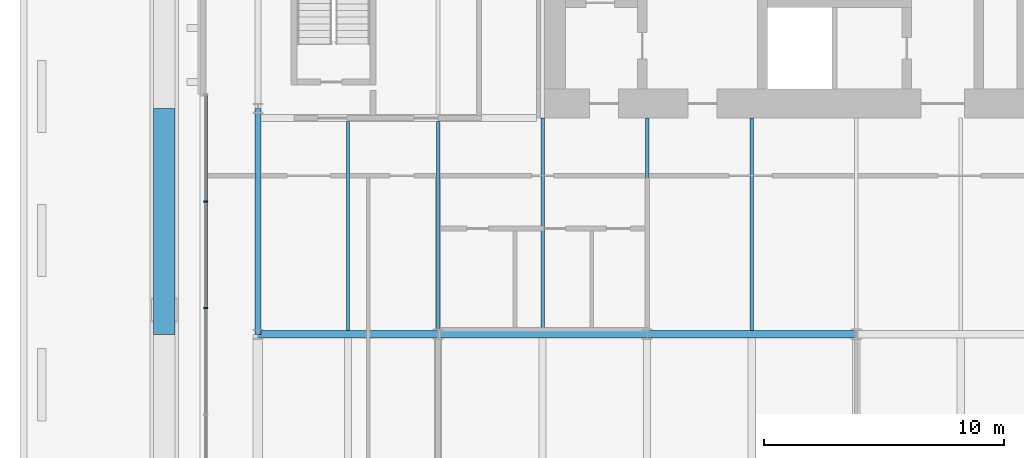
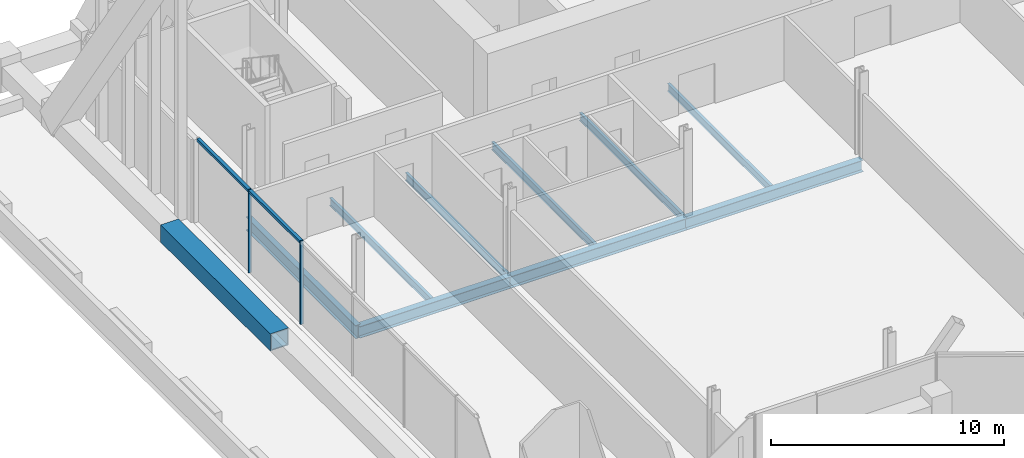
# One storey, part 7 of 29: 9 beams, 5 members, 1 element without a shape of its own.
"""IFC4 building model written with IfcOpenShell, lengths in metres."""

from ifc_helpers import new_model, si_unit, direction, frame, origin, origin_2d, place, context, subcontext, project, spatial, rectangle, hollow_rectangle, i_section, extrude, material, material_profile, profile_set, type_object, element, aggregate, save


model = new_model("IFC4")

# Units and contexts
model_context = context("Model", 3, precision=1e-05, world=origin(), true_north=direction((0.0, 1.0)))
body_context = subcontext(model_context, "Body", "Model", "MODEL_VIEW")
ifc_project = project(units=[si_unit("LENGTHUNIT", "METRE"), si_unit("AREAUNIT", "SQUARE_METRE"), si_unit("VOLUMEUNIT", "CUBIC_METRE"), si_unit("PLANEANGLEUNIT", "RADIAN"), si_unit("MASSUNIT", "GRAM", prefix="KILO")], contexts=[model_context])

# Site, building, storey
site_placement = place(None, origin())
site = spatial("IfcSite", under=ifc_project, at=site_placement, CompositionType="ELEMENT")
building_placement = place(site_placement, origin())
building = spatial("IfcBuilding", under=site, at=building_placement, Name="Bicima Exchange Tower", CompositionType="ELEMENT")
storey_placement = place(building_placement, frame((0.0, 0.0, 35.0)))
storey = spatial("IfcBuildingStorey", under=building, at=storey_placement, Name="L06", CompositionType="ELEMENT", Elevation=35.0)

# Curtain wall, members
ifc_material_1 = material(Name="Anodised bronze aluminium", Category="aluminium")
curtain_wall_type = type_object("IfcCurtainWallType", Name="End face glass wall", PredefinedType="NOTDEFINED", material=ifc_material_1)
curtain_wall_placement = place(storey_placement, origin())
curtain_wall = element("IfcCurtainWall", 1, at=curtain_wall_placement, inside=storey, type_object=curtain_wall_type, Name="End face glass wall L06 run 2", PredefinedType="NOTDEFINED")
ifc_material_profile_1 = material_profile(ifc_material_1, rectangle(XDim=0.159912109375, YDim=0.06005859375, at=origin_2d()))
ifc_profile_set_1 = profile_set([ifc_material_profile_1], Name="Anodised bronze aluminium")
member_type_1 = type_object("IfcMemberType", Name="End face glass wall mullion 60 x 160", PredefinedType="MULLION", material=ifc_profile_set_1)
member_1_placement = place(storey_placement, frame((-35.77001953125, -16.46826171875, 0.0), z_axis=(0.0, 0.0, 1.0), x_axis=(1.0, 0.0, 0.0)))
member_1 = element("IfcMember", 2, at=member_1_placement, type_object=member_type_1, Name="End face glass wall mullion 2", PredefinedType="MULLION", context=body_context, shape_type="SweptSolid", body=[
    extrude(rectangle(XDim=0.159912109375, YDim=0.06005859375, at=origin_2d()), origin(), (0.0, 0.0, 1.0), 4.35009765625),
])
member_2_placement = place(storey_placement, frame((-35.77001953125, -20.90673828125, 0.0), z_axis=(0.0, 0.0, 1.0), x_axis=(1.0, 0.0, 0.0)))
member_2 = element("IfcMember", 3, at=member_2_placement, type_object=member_type_1, Name="End face glass wall mullion 3", PredefinedType="MULLION", context=body_context, shape_type="SweptSolid", body=[
    extrude(rectangle(XDim=0.159912109375, YDim=0.06005859375, at=origin_2d()), origin(), (0.0, 0.0, 1.0), 4.35009765625),
])
ifc_material_profile_2 = material_profile(ifc_material_1, rectangle(XDim=0.159912109375, YDim=0.139892578125, at=origin_2d()))
ifc_profile_set_2 = profile_set([ifc_material_profile_2], Name="Anodised bronze aluminium")
member_type_2 = type_object("IfcMemberType", Name="End face glass wall transom 140 x 160", PredefinedType="USERDEFINED", material=ifc_profile_set_2)
member_3_placement = place(storey_placement, frame((-35.77001953125, -12.06005859375, 4.280029296875), z_axis=(0.0, -1.0, 0.0), x_axis=(1.0, 0.0, 0.0)))
member_3 = element("IfcMember", 4, at=member_3_placement, type_object=member_type_2, Name="End face glass wall transom 1.1", ObjectType="TRANSOM", PredefinedType="USERDEFINED", context=body_context, shape_type="SweptSolid", body=[
    extrude(rectangle(XDim=0.159912109375, YDim=0.139892578125, at=origin_2d()), origin(), (0.0, 0.0, 1.0), 4.378173828125),
])
member_4_placement = place(storey_placement, frame((-35.77001953125, -16.498291015625, 4.280029296875), z_axis=(0.0, -1.0, 0.0), x_axis=(1.0, 0.0, 0.0)))
member_4 = element("IfcMember", 5, at=member_4_placement, type_object=member_type_2, Name="End face glass wall transom 2.1", ObjectType="TRANSOM", PredefinedType="USERDEFINED", context=body_context, shape_type="SweptSolid", body=[
    extrude(rectangle(XDim=0.159912109375, YDim=0.139892578125, at=origin_2d()), origin(), (0.0, 0.0, 1.0), 4.37841796875),
])
aggregate(curtain_wall, [member_1, member_2, member_3, member_4])

# Beam
ifc_material_2 = material(Name="Steel ASTM A992 Gr 50", Category="steel")
ifc_material_profile_3 = material_profile(ifc_material_2, i_section(OverallWidth=0.256591796875, OverallDepth=0.693359375, WebThickness=0.014404296875, FlangeThickness=0.023681640625, at=origin_2d()))
ifc_profile_set_3 = profile_set([ifc_material_profile_3], Name="Steel ASTM A992 Gr 50")
beam_type_1 = type_object("IfcBeamType", Name="End girder W27x114", PredefinedType="BEAM", material=ifc_profile_set_3)
beam_1_placement = place(storey_placement, frame((-33.60009765625, -12.60009765625, -0.49658203125), z_axis=(0.0, -1.0, 0.0), x_axis=(1.0, 0.0, 0.0)))
element("IfcBeam", 6, at=beam_1_placement, inside=storey, type_object=beam_type_1, Name="End girder", PredefinedType="BEAM", context=body_context, shape_type="SweptSolid", body=[
    extrude(i_section(OverallWidth=0.256591796875, OverallDepth=0.693359375, WebThickness=0.014404296875, FlangeThickness=0.023681640625, at=origin_2d()), origin(), (0.0, 0.0, 1.0), 9.39990234375),
])

# Member
ifc_material_3 = material(Name="Steel ASTM A572 Gr 50", Category="steel")
ifc_material_profile_4 = material_profile(ifc_material_3, hollow_rectangle(XDim=0.89990234375, YDim=0.89990234375, WallThickness=0.050048828125, at=origin_2d()))
ifc_profile_set_4 = profile_set([ifc_material_profile_4], Name="Steel ASTM A572 Gr 50")
member_type_3 = type_object("IfcMemberType", Name="Exo belt ring BOX 900x900x50", PredefinedType="CHORD", material=ifc_profile_set_4)
member_5_placement = place(storey_placement, frame((-37.5, -12.60009765625, 0.449951171875), z_axis=(0.0, -1.0, 0.0), x_axis=(1.0, 0.0, 0.0)))
element("IfcMember", 7, at=member_5_placement, inside=storey, type_object=member_type_3, Name="Exo belt ring", PredefinedType="CHORD", context=body_context, shape_type="SweptSolid", body=[
    extrude(hollow_rectangle(XDim=0.89990234375, YDim=0.89990234375, WallThickness=0.050048828125, at=origin_2d()), origin(), (0.0, 0.0, 1.0), 9.39990234375),
])

# Beams
ifc_material_profile_5 = material_profile(ifc_material_2, i_section(OverallWidth=0.140380859375, OverallDepth=0.40380859375, WebThickness=0.007080078125, FlangeThickness=0.01123046875, at=origin_2d()))
ifc_profile_set_5 = profile_set([ifc_material_profile_5], Name="Steel ASTM A992 Gr 50")
beam_type_2 = type_object("IfcBeamType", Name="Floor beam W16x31", PredefinedType="JOIST", material=ifc_profile_set_5)
for number, where, z_axis, x_axis, name in (
    (8, (-29.85009765625, -13.15234375, -0.351806640625), (0.0, -1.0, 0.0), (1.0, 0.0, 0.0), "Floor beam"),
    (9, (-26.10009765625, -13.15234375, -0.351806640625), (0.0, -1.0, 0.0), (1.0, 0.0, 0.0), "Floor beam"),
):
    element("IfcBeam", number, at=place(storey_placement, frame(where, z_axis=z_axis, x_axis=x_axis)), inside=storey, type_object=beam_type_2, Name=name, PredefinedType="JOIST", context=body_context, shape_type="SweptSolid", body=[
        extrude(i_section(OverallWidth=0.140380859375, OverallDepth=0.40380859375, WebThickness=0.007080078125, FlangeThickness=0.01123046875, at=origin_2d()), origin(), (0.0, 0.0, 1.0), 8.68505859375),
    ])
for number, where, z_axis, x_axis, name in (
    (10, (-21.75, -13.0, -0.351806640625), (0.0, -1.0, 0.0), (1.0, 0.0, 0.0), "Floor beam"),
    (11, (-17.39990234375, -13.0, -0.351806640625), (0.0, -1.0, 0.0), (1.0, 0.0, 0.0), "Floor beam"),
    (12, (-13.050048828125, -13.0, -0.351806640625), (0.0, -1.0, 0.0), (1.0, 0.0, 0.0), "Floor beam"),
):
    element("IfcBeam", number, at=place(storey_placement, frame(where, z_axis=z_axis, x_axis=x_axis)), inside=storey, type_object=beam_type_2, Name=name, PredefinedType="JOIST", context=body_context, shape_type="SweptSolid", body=[
        extrude(i_section(OverallWidth=0.140380859375, OverallDepth=0.40380859375, WebThickness=0.007080078125, FlangeThickness=0.01123046875, at=origin_2d()), origin(), (0.0, 0.0, 1.0), 8.83740234375),
    ])
ifc_material_profile_6 = material_profile(ifc_material_2, i_section(OverallWidth=0.3251953125, OverallDepth=0.612060546875, WebThickness=0.0126953125, FlangeThickness=0.01904296875, at=origin_2d()))
ifc_profile_set_6 = profile_set([ifc_material_profile_6], Name="Steel ASTM A992 Gr 50")
beam_type_3 = type_object("IfcBeamType", Name="Row girder W24x104", PredefinedType="BEAM", material=ifc_profile_set_6)
beam_2_placement = place(storey_placement, frame((-33.60009765625, -22.0, -0.4560546875), z_axis=(1.0, 0.0, 0.0), x_axis=(0.0, 1.0, 0.0)))
element("IfcBeam", 13, at=beam_2_placement, inside=storey, type_object=beam_type_3, Name="Row girder", PredefinedType="BEAM", context=body_context, shape_type="SweptSolid", body=[
    extrude(i_section(OverallWidth=0.3251953125, OverallDepth=0.612060546875, WebThickness=0.0126953125, FlangeThickness=0.01904296875, at=origin_2d()), origin(), (0.0, 0.0, 1.0), 7.5),
])
beam_3_placement = place(storey_placement, frame((-26.10009765625, -22.0, -0.4560546875), z_axis=(1.0, 0.0, 0.0), x_axis=(0.0, 1.0, 0.0)))
element("IfcBeam", 14, at=beam_3_placement, inside=storey, type_object=beam_type_3, Name="Row girder", PredefinedType="BEAM", context=body_context, shape_type="SweptSolid", body=[
    extrude(i_section(OverallWidth=0.3251953125, OverallDepth=0.612060546875, WebThickness=0.0126953125, FlangeThickness=0.01904296875, at=origin_2d()), origin(), (0.0, 0.0, 1.0), 8.7001953125),
])
beam_4_placement = place(storey_placement, frame((-17.39990234375, -22.0, -0.4560546875), z_axis=(1.0, 0.0, 0.0), x_axis=(0.0, 1.0, 0.0)))
element("IfcBeam", 15, at=beam_4_placement, inside=storey, type_object=beam_type_3, Name="Row girder", PredefinedType="BEAM", context=body_context, shape_type="SweptSolid", body=[
    extrude(i_section(OverallWidth=0.3251953125, OverallDepth=0.612060546875, WebThickness=0.0126953125, FlangeThickness=0.01904296875, at=origin_2d()), origin(), (0.0, 0.0, 1.0), 8.699951171875),
])

save(model, "model.ifc")
